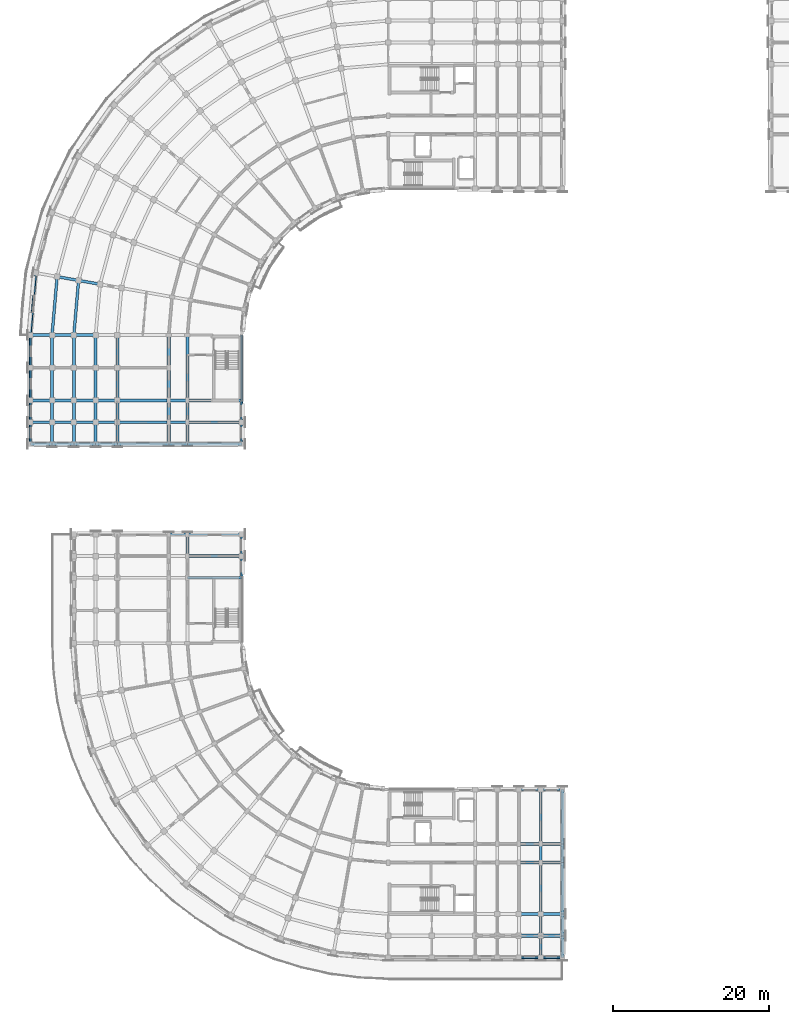
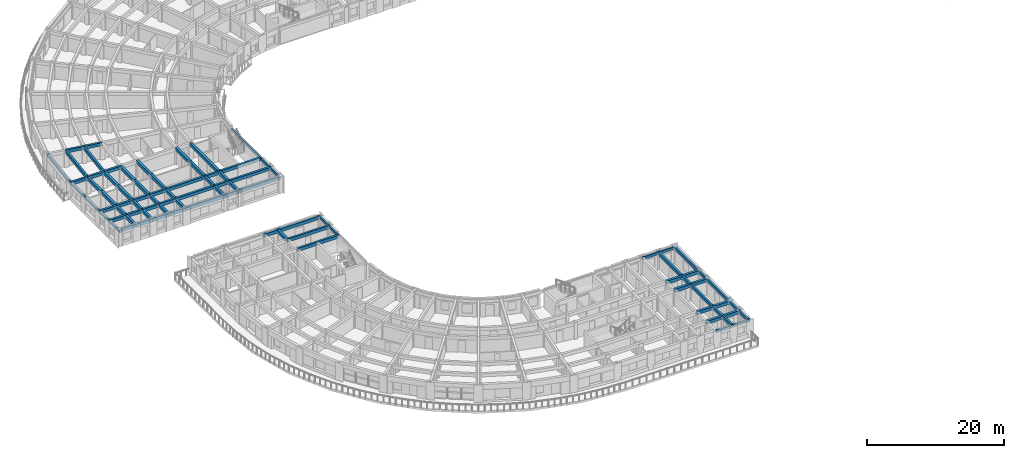
# One storey, part 7 of 57: 88 beams.
"""IFC4 building model written with IfcOpenShell, lengths in metres."""

from ifc_helpers import new_model, si_unit, direction, frame, origin, origin_2d, place, context, subcontext, project, spatial, rectangle, extrude, material, material_profile, profile_set, type_object, element, save


model = new_model("IFC4")

# Units and contexts
model_context = context("Model", 3, precision=1e-05, world=origin(), true_north=direction((0.0, 1.0)))
body_context = subcontext(model_context, "Body", "Model", "MODEL_VIEW")
ifc_project = project(units=[si_unit("LENGTHUNIT", "METRE"), si_unit("AREAUNIT", "SQUARE_METRE"), si_unit("VOLUMEUNIT", "CUBIC_METRE"), si_unit("PLANEANGLEUNIT", "RADIAN"), si_unit("MASSUNIT", "GRAM", prefix="KILO")], contexts=[model_context])

# Site, building, storey
site_placement = place(None, origin())
site = spatial("IfcSite", under=ifc_project, at=site_placement, CompositionType="ELEMENT")
building_placement = place(site_placement, origin())
building = spatial("IfcBuilding", under=site, at=building_placement, Name="Kiranvali Square Residences", CompositionType="ELEMENT")
storey_placement = place(building_placement, frame((0.0, 0.0, 24.449951171875)))
storey = spatial("IfcBuildingStorey", under=building, at=storey_placement, Name="L07", CompositionType="ELEMENT", Elevation=24.449951171875)

# Beams
ifc_material_1 = material(Name="Concrete M40 (40 MPa)", Category="concrete")
ifc_material_profile_1 = material_profile(ifc_material_1, rectangle(XDim=0.35009765625, YDim=0.550048828125, at=origin_2d()), Name="RC 350x550")
ifc_profile_set_1 = profile_set([ifc_material_profile_1], Name="Concrete M40 (40 MPa)")
beam_type_1 = type_object("IfcBeamType", Name="BM-M40-350x550", PredefinedType="BEAM", material=ifc_profile_set_1)
beam_1_placement = place(storey_placement, frame((8.413818359375, 94.8154296875, 2.655029296875), z_axis=(-0.087156198737, -0.996194658198, 0.0), x_axis=(0.996194658198, -0.087156198737, 0.0)))
element("IfcBeam", 1, at=beam_1_placement, inside=storey, type_object=beam_type_1, Name="L07 beam BM-A-L07-C08-R5", PredefinedType="BEAM", context=body_context, shape_type="SweptSolid", body=[
    extrude(rectangle(XDim=0.35009765625, YDim=0.550048828125, at=origin_2d()), origin(), (0.0, 0.0, 1.0), 7.042236328125),
])
beam_2_placement = place(storey_placement, frame((5.65625, 95.301513671875, 2.655029296875), z_axis=(-0.087150058103, -0.996195195417, 0.0), x_axis=(0.996195195417, -0.087150058103, 0.0)))
element("IfcBeam", 2, at=beam_2_placement, inside=storey, type_object=beam_type_1, Name="L07 beam BM-A-L07-C08-R6", PredefinedType="BEAM", context=body_context, shape_type="SweptSolid", body=[
    extrude(rectangle(XDim=0.35009765625, YDim=0.550048828125, at=origin_2d()), origin(), (0.0, 0.0, 1.0), 7.530029296875),
])
beam_3_placement = place(storey_placement, frame((11.171142578125, 94.3291015625, 2.655029296875), z_axis=(-0.984799355489, 0.173695795656, 0.0), x_axis=(-0.173695795656, -0.984799355489, 0.0)))
element("IfcBeam", 3, at=beam_3_placement, inside=storey, type_object=beam_type_1, Name="L07 beam BM-A-L07-RAD08-45", PredefinedType="BEAM", context=body_context, shape_type="SweptSolid", body=[
    extrude(rectangle(XDim=0.35009765625, YDim=0.550048828125, at=origin_2d()), origin(), (0.0, 0.0, 1.0), 2.7998046875),
])
for number, where, z_axis, x_axis, name in (
    (4, (8.413818359375, 94.8154296875, 2.655029296875), (-0.984816895441, 0.173596320392, 0.0), (-0.173596320392, -0.984816895441, 0.0), "L07 beam BM-A-L07-RAD08-56"),
    (5, (10.60009765625, 87.800048828125, 2.655029296875), (-1.0, 0.0, 0.0), (0.0, -1.0, 0.0), "L07 beam BM-A-L07-A2T0-45"),
    (6, (7.800048828125, 87.800048828125, 2.655029296875), (-1.0, 0.0, 0.0), (0.0, -1.0, 0.0), "L07 beam BM-A-L07-A2T0-56"),
    (7, (5.0, 87.800048828125, 2.655029296875), (-1.0, 0.0, 0.0), (0.0, -1.0, 0.0), "L07 beam BM-A-L07-A2T0-67"),
):
    element("IfcBeam", number, at=place(storey_placement, frame(where, z_axis=z_axis, x_axis=x_axis)), inside=storey, type_object=beam_type_1, Name=name, PredefinedType="BEAM", context=body_context, shape_type="SweptSolid", body=[
        extrude(rectangle(XDim=0.35009765625, YDim=0.550048828125, at=origin_2d()), origin(), (0.0, 0.0, 1.0), 2.800048828125),
    ])
beam_4_placement = place(storey_placement, frame((29.39990234375, 79.39990234375, 2.655029296875), z_axis=(-1.0, 0.0, 0.0), x_axis=(0.0, -1.0, 0.0)))
element("IfcBeam", 8, at=beam_4_placement, inside=storey, type_object=beam_type_1, Name="L07 beam BM-A-L07-A2T1-01", PredefinedType="BEAM", context=body_context, shape_type="SweptSolid", body=[
    extrude(rectangle(XDim=0.35009765625, YDim=0.550048828125, at=origin_2d()), origin(), (0.0, 0.0, 1.0), 7.0),
])
beam_5_placement = place(storey_placement, frame((22.39990234375, 79.39990234375, 2.655029296875), z_axis=(-1.0, 0.0, 0.0), x_axis=(0.0, -1.0, 0.0)))
element("IfcBeam", 9, at=beam_5_placement, inside=storey, type_object=beam_type_1, Name="L07 beam BM-A-L07-A2T1-12", PredefinedType="BEAM", context=body_context, shape_type="SweptSolid", body=[
    extrude(rectangle(XDim=0.35009765625, YDim=0.550048828125, at=origin_2d()), origin(), (0.0, 0.0, 1.0), 2.39990234375),
])
beam_6_placement = place(storey_placement, frame((20.0, 79.39990234375, 2.655029296875), z_axis=(-1.0, 0.0, 0.0), x_axis=(0.0, -1.0, 0.0)))
element("IfcBeam", 10, at=beam_6_placement, inside=storey, type_object=beam_type_1, Name="L07 beam BM-A-L07-A2T1-23", PredefinedType="BEAM", context=body_context, shape_type="SweptSolid", body=[
    extrude(rectangle(XDim=0.35009765625, YDim=0.550048828125, at=origin_2d()), origin(), (0.0, 0.0, 1.0), 6.60009765625),
])
beam_7_placement = place(storey_placement, frame((13.39990234375, 79.39990234375, 2.655029296875), z_axis=(-1.0, 0.0, 0.0), x_axis=(0.0, -1.0, 0.0)))
element("IfcBeam", 11, at=beam_7_placement, inside=storey, type_object=beam_type_1, Name="L07 beam BM-A-L07-A2T1-34", PredefinedType="BEAM", context=body_context, shape_type="SweptSolid", body=[
    extrude(rectangle(XDim=0.35009765625, YDim=0.550048828125, at=origin_2d()), origin(), (0.0, 0.0, 1.0), 2.7998046875),
])
for number, where, z_axis, x_axis, name in (
    (12, (10.60009765625, 79.39990234375, 2.655029296875), (-1.0, 0.0, 0.0), (0.0, -1.0, 0.0), "L07 beam BM-A-L07-A2T1-45"),
    (13, (7.800048828125, 79.39990234375, 2.655029296875), (-1.0, 0.0, 0.0), (0.0, -1.0, 0.0), "L07 beam BM-A-L07-A2T1-56"),
    (14, (5.0, 79.39990234375, 2.655029296875), (-1.0, 0.0, 0.0), (0.0, -1.0, 0.0), "L07 beam BM-A-L07-A2T1-67"),
):
    element("IfcBeam", number, at=place(storey_placement, frame(where, z_axis=z_axis, x_axis=x_axis)), inside=storey, type_object=beam_type_1, Name=name, PredefinedType="BEAM", context=body_context, shape_type="SweptSolid", body=[
        extrude(rectangle(XDim=0.35009765625, YDim=0.550048828125, at=origin_2d()), origin(), (0.0, 0.0, 1.0), 2.800048828125),
    ])
beam_8_placement = place(storey_placement, frame((29.39990234375, 76.60009765625, 2.655029296875), z_axis=(-1.0, 0.0, 0.0), x_axis=(0.0, -1.0, 0.0)))
element("IfcBeam", 15, at=beam_8_placement, inside=storey, type_object=beam_type_1, Name="L07 beam BM-A-L07-A2T2-01", PredefinedType="BEAM", context=body_context, shape_type="SweptSolid", body=[
    extrude(rectangle(XDim=0.35009765625, YDim=0.550048828125, at=origin_2d()), origin(), (0.0, 0.0, 1.0), 7.0),
])
beam_9_placement = place(storey_placement, frame((22.39990234375, 76.60009765625, 2.655029296875), z_axis=(-1.0, 0.0, 0.0), x_axis=(0.0, -1.0, 0.0)))
element("IfcBeam", 16, at=beam_9_placement, inside=storey, type_object=beam_type_1, Name="L07 beam BM-A-L07-A2T2-12", PredefinedType="BEAM", context=body_context, shape_type="SweptSolid", body=[
    extrude(rectangle(XDim=0.35009765625, YDim=0.550048828125, at=origin_2d()), origin(), (0.0, 0.0, 1.0), 2.39990234375),
])
beam_10_placement = place(storey_placement, frame((20.0, 76.60009765625, 2.655029296875), z_axis=(-1.0, 0.0, 0.0), x_axis=(0.0, -1.0, 0.0)))
element("IfcBeam", 17, at=beam_10_placement, inside=storey, type_object=beam_type_1, Name="L07 beam BM-A-L07-A2T2-23", PredefinedType="BEAM", context=body_context, shape_type="SweptSolid", body=[
    extrude(rectangle(XDim=0.35009765625, YDim=0.550048828125, at=origin_2d()), origin(), (0.0, 0.0, 1.0), 6.60009765625),
])
beam_11_placement = place(storey_placement, frame((13.39990234375, 76.60009765625, 2.655029296875), z_axis=(-1.0, 0.0, 0.0), x_axis=(0.0, -1.0, 0.0)))
element("IfcBeam", 18, at=beam_11_placement, inside=storey, type_object=beam_type_1, Name="L07 beam BM-A-L07-A2T2-34", PredefinedType="BEAM", context=body_context, shape_type="SweptSolid", body=[
    extrude(rectangle(XDim=0.35009765625, YDim=0.550048828125, at=origin_2d()), origin(), (0.0, 0.0, 1.0), 2.7998046875),
])
for number, where, z_axis, x_axis, name in (
    (19, (10.60009765625, 76.60009765625, 2.655029296875), (-1.0, 0.0, 0.0), (0.0, -1.0, 0.0), "L07 beam BM-A-L07-A2T2-45"),
    (20, (7.800048828125, 76.60009765625, 2.655029296875), (-1.0, 0.0, 0.0), (0.0, -1.0, 0.0), "L07 beam BM-A-L07-A2T2-56"),
    (21, (5.0, 76.60009765625, 2.655029296875), (-1.0, 0.0, 0.0), (0.0, -1.0, 0.0), "L07 beam BM-A-L07-A2T2-67"),
):
    element("IfcBeam", number, at=place(storey_placement, frame(where, z_axis=z_axis, x_axis=x_axis)), inside=storey, type_object=beam_type_1, Name=name, PredefinedType="BEAM", context=body_context, shape_type="SweptSolid", body=[
        extrude(rectangle(XDim=0.35009765625, YDim=0.550048828125, at=origin_2d()), origin(), (0.0, 0.0, 1.0), 2.800048828125),
    ])
beam_12_placement = place(storey_placement, frame((29.39990234375, 73.800048828125, 2.655029296875), z_axis=(-1.0, 0.0, 0.0), x_axis=(0.0, -1.0, 0.0)))
element("IfcBeam", 22, at=beam_12_placement, inside=storey, type_object=beam_type_1, Name="L07 beam BM-A-L07-A2T3-01", PredefinedType="BEAM", context=body_context, shape_type="SweptSolid", body=[
    extrude(rectangle(XDim=0.35009765625, YDim=0.550048828125, at=origin_2d()), origin(), (0.0, 0.0, 1.0), 7.0),
])
beam_13_placement = place(storey_placement, frame((22.39990234375, 73.800048828125, 2.655029296875), z_axis=(-1.0, 0.0, 0.0), x_axis=(0.0, -1.0, 0.0)))
element("IfcBeam", 23, at=beam_13_placement, inside=storey, type_object=beam_type_1, Name="L07 beam BM-A-L07-A2T3-12", PredefinedType="BEAM", context=body_context, shape_type="SweptSolid", body=[
    extrude(rectangle(XDim=0.35009765625, YDim=0.550048828125, at=origin_2d()), origin(), (0.0, 0.0, 1.0), 2.39990234375),
])
beam_14_placement = place(storey_placement, frame((20.0, 73.800048828125, 2.655029296875), z_axis=(-1.0, 0.0, 0.0), x_axis=(0.0, -1.0, 0.0)))
element("IfcBeam", 24, at=beam_14_placement, inside=storey, type_object=beam_type_1, Name="L07 beam BM-A-L07-A2T3-23", PredefinedType="BEAM", context=body_context, shape_type="SweptSolid", body=[
    extrude(rectangle(XDim=0.35009765625, YDim=0.550048828125, at=origin_2d()), origin(), (0.0, 0.0, 1.0), 6.60009765625),
])
beam_15_placement = place(storey_placement, frame((13.39990234375, 73.800048828125, 2.655029296875), z_axis=(-1.0, 0.0, 0.0), x_axis=(0.0, -1.0, 0.0)))
element("IfcBeam", 25, at=beam_15_placement, inside=storey, type_object=beam_type_1, Name="L07 beam BM-A-L07-A2T3-34", PredefinedType="BEAM", context=body_context, shape_type="SweptSolid", body=[
    extrude(rectangle(XDim=0.35009765625, YDim=0.550048828125, at=origin_2d()), origin(), (0.0, 0.0, 1.0), 2.7998046875),
])
for number, where, z_axis, x_axis, name in (
    (26, (10.60009765625, 73.800048828125, 2.655029296875), (-1.0, 0.0, 0.0), (0.0, -1.0, 0.0), "L07 beam BM-A-L07-A2T3-45"),
    (27, (7.800048828125, 73.800048828125, 2.655029296875), (-1.0, 0.0, 0.0), (0.0, -1.0, 0.0), "L07 beam BM-A-L07-A2T3-56"),
    (28, (5.0, 73.800048828125, 2.655029296875), (-1.0, 0.0, 0.0), (0.0, -1.0, 0.0), "L07 beam BM-A-L07-A2T3-67"),
):
    element("IfcBeam", number, at=place(storey_placement, frame(where, z_axis=z_axis, x_axis=x_axis)), inside=storey, type_object=beam_type_1, Name=name, PredefinedType="BEAM", context=body_context, shape_type="SweptSolid", body=[
        extrude(rectangle(XDim=0.35009765625, YDim=0.550048828125, at=origin_2d()), origin(), (0.0, 0.0, 1.0), 2.800048828125),
    ])
beam_16_placement = place(storey_placement, frame((67.800048828125, 29.39990234375, 2.655029296875), z_axis=(0.0, -1.0, 0.0), x_axis=(1.0, 0.0, 0.0)))
element("IfcBeam", 29, at=beam_16_placement, inside=storey, type_object=beam_type_1, Name="L07 beam BM-C-L07-A1T4-01", PredefinedType="BEAM", context=body_context, shape_type="SweptSolid", body=[
    extrude(rectangle(XDim=0.35009765625, YDim=0.550048828125, at=origin_2d()), origin(), (0.0, 0.0, 1.0), 7.0),
])
beam_17_placement = place(storey_placement, frame((67.800048828125, 22.39990234375, 2.655029296875), z_axis=(0.0, -1.0, 0.0), x_axis=(1.0, 0.0, 0.0)))
element("IfcBeam", 30, at=beam_17_placement, inside=storey, type_object=beam_type_1, Name="L07 beam BM-C-L07-A1T4-12", PredefinedType="BEAM", context=body_context, shape_type="SweptSolid", body=[
    extrude(rectangle(XDim=0.35009765625, YDim=0.550048828125, at=origin_2d()), origin(), (0.0, 0.0, 1.0), 2.39990234375),
])
beam_18_placement = place(storey_placement, frame((67.800048828125, 20.0, 2.655029296875), z_axis=(0.0, -1.0, 0.0), x_axis=(1.0, 0.0, 0.0)))
element("IfcBeam", 31, at=beam_18_placement, inside=storey, type_object=beam_type_1, Name="L07 beam BM-C-L07-A1T4-23", PredefinedType="BEAM", context=body_context, shape_type="SweptSolid", body=[
    extrude(rectangle(XDim=0.35009765625, YDim=0.550048828125, at=origin_2d()), origin(), (0.0, 0.0, 1.0), 6.60009765625),
])
beam_19_placement = place(storey_placement, frame((67.800048828125, 13.39990234375, 2.655029296875), z_axis=(0.0, -1.0, 0.0), x_axis=(1.0, 0.0, 0.0)))
element("IfcBeam", 32, at=beam_19_placement, inside=storey, type_object=beam_type_1, Name="L07 beam BM-C-L07-A1T4-34", PredefinedType="BEAM", context=body_context, shape_type="SweptSolid", body=[
    extrude(rectangle(XDim=0.35009765625, YDim=0.550048828125, at=origin_2d()), origin(), (0.0, 0.0, 1.0), 2.7998046875),
])
beam_20_placement = place(storey_placement, frame((67.800048828125, 10.60009765625, 2.695068359375), z_axis=(0.0, -1.0, 0.0), x_axis=(1.0, 0.0, 0.0)))
element("IfcBeam", 33, at=beam_20_placement, inside=storey, type_object=beam_type_1, Name="L07 beam BM-C-L07-A1T4-45", PredefinedType="BEAM", context=body_context, shape_type="SweptSolid", body=[
    extrude(rectangle(XDim=0.35009765625, YDim=0.550048828125, at=origin_2d()), origin(), (0.0, 0.0, 1.0), 2.800048828125),
])
beam_21_placement = place(storey_placement, frame((70.60009765625, 29.39990234375, 2.655029296875), z_axis=(0.0, -1.0, 0.0), x_axis=(1.0, 0.0, 0.0)))
element("IfcBeam", 34, at=beam_21_placement, inside=storey, type_object=beam_type_1, Name="L07 beam BM-C-L07-A1T5-01", PredefinedType="BEAM", context=body_context, shape_type="SweptSolid", body=[
    extrude(rectangle(XDim=0.35009765625, YDim=0.550048828125, at=origin_2d()), origin(), (0.0, 0.0, 1.0), 7.0),
])
beam_22_placement = place(storey_placement, frame((70.60009765625, 22.39990234375, 2.655029296875), z_axis=(0.0, -1.0, 0.0), x_axis=(1.0, 0.0, 0.0)))
element("IfcBeam", 35, at=beam_22_placement, inside=storey, type_object=beam_type_1, Name="L07 beam BM-C-L07-A1T5-12", PredefinedType="BEAM", context=body_context, shape_type="SweptSolid", body=[
    extrude(rectangle(XDim=0.35009765625, YDim=0.550048828125, at=origin_2d()), origin(), (0.0, 0.0, 1.0), 2.39990234375),
])
beam_23_placement = place(storey_placement, frame((70.60009765625, 20.0, 2.655029296875), z_axis=(0.0, -1.0, 0.0), x_axis=(1.0, 0.0, 0.0)))
element("IfcBeam", 36, at=beam_23_placement, inside=storey, type_object=beam_type_1, Name="L07 beam BM-C-L07-A1T5-23", PredefinedType="BEAM", context=body_context, shape_type="SweptSolid", body=[
    extrude(rectangle(XDim=0.35009765625, YDim=0.550048828125, at=origin_2d()), origin(), (0.0, 0.0, 1.0), 6.60009765625),
])
beam_24_placement = place(storey_placement, frame((70.60009765625, 13.39990234375, 2.655029296875), z_axis=(0.0, -1.0, 0.0), x_axis=(1.0, 0.0, 0.0)))
element("IfcBeam", 37, at=beam_24_placement, inside=storey, type_object=beam_type_1, Name="L07 beam BM-C-L07-A1T5-34", PredefinedType="BEAM", context=body_context, shape_type="SweptSolid", body=[
    extrude(rectangle(XDim=0.35009765625, YDim=0.550048828125, at=origin_2d()), origin(), (0.0, 0.0, 1.0), 2.7998046875),
])
beam_25_placement = place(storey_placement, frame((70.60009765625, 10.60009765625, 2.695068359375), z_axis=(0.0, -1.0, 0.0), x_axis=(1.0, 0.0, 0.0)))
element("IfcBeam", 38, at=beam_25_placement, inside=storey, type_object=beam_type_1, Name="L07 beam BM-C-L07-A1T5-45", PredefinedType="BEAM", context=body_context, shape_type="SweptSolid", body=[
    extrude(rectangle(XDim=0.35009765625, YDim=0.550048828125, at=origin_2d()), origin(), (0.0, 0.0, 1.0), 2.800048828125),
])
for number, where, z_axis, x_axis, name in (
    (39, (29.39990234375, 56.60009765625, 2.655029296875), (-1.0, 0.0, 0.0), (0.0, -1.0, 0.0), "L07 beam BM-C-L07-A2T1-01"),
    (40, (29.39990234375, 59.39990234375, 2.655029296875), (-1.0, 0.0, 0.0), (0.0, -1.0, 0.0), "L07 beam BM-C-L07-A2T2-01"),
    (41, (29.39990234375, 62.199951171875, 2.655029296875), (-1.0, 0.0, 0.0), (0.0, -1.0, 0.0), "L07 beam BM-C-L07-A2T3-01"),
):
    element("IfcBeam", number, at=place(storey_placement, frame(where, z_axis=z_axis, x_axis=x_axis)), inside=storey, type_object=beam_type_1, Name=name, PredefinedType="BEAM", context=body_context, shape_type="SweptSolid", body=[
        extrude(rectangle(XDim=0.35009765625, YDim=0.550048828125, at=origin_2d()), origin(), (0.0, 0.0, 1.0), 7.0),
    ])
beam_26_placement = place(storey_placement, frame((22.39990234375, 62.199951171875, 2.655029296875), z_axis=(-1.0, 0.0, 0.0), x_axis=(0.0, -1.0, 0.0)))
element("IfcBeam", 42, at=beam_26_placement, inside=storey, type_object=beam_type_1, Name="L07 beam BM-C-L07-A2T3-12", PredefinedType="BEAM", context=body_context, shape_type="SweptSolid", body=[
    extrude(rectangle(XDim=0.35009765625, YDim=0.550048828125, at=origin_2d()), origin(), (0.0, 0.0, 1.0), 2.39990234375),
])
ifc_material_2 = material(Name="Concrete M45 (45 MPa)", Category="concrete")
ifc_material_profile_2 = material_profile(ifc_material_2, rectangle(XDim=0.39990234375, YDim=0.550048828125, at=origin_2d()), Name="RC 400x550")
ifc_profile_set_2 = profile_set([ifc_material_profile_2], Name="Concrete M45 (45 MPa)")
beam_type_2 = type_object("IfcBeamType", Name="BM-M45-400x550", PredefinedType="BEAM", material=ifc_profile_set_2)
beam_27_placement = place(storey_placement, frame((22.39990234375, 87.800048828125, 2.655029296875), z_axis=(0.0, -1.0, 0.0), x_axis=(1.0, 0.0, 0.0)))
element("IfcBeam", 43, at=beam_27_placement, inside=storey, type_object=beam_type_2, Name="L07 beam BM-A-L07-A2V0-R1", PredefinedType="BEAM", context=body_context, shape_type="SweptSolid", body=[
    extrude(rectangle(XDim=0.39990234375, YDim=0.550048828125, at=origin_2d()), origin(), (0.0, 0.0, 1.0), 8.400146484375),
])
beam_28_placement = place(storey_placement, frame((22.39990234375, 79.39990234375, 2.655029296875), z_axis=(0.0, -1.0, 0.0), x_axis=(1.0, 0.0, 0.0)))
element("IfcBeam", 44, at=beam_28_placement, inside=storey, type_object=beam_type_2, Name="L07 beam BM-A-L07-A2V1-R1", PredefinedType="BEAM", context=body_context, shape_type="SweptSolid", body=[
    extrude(rectangle(XDim=0.39990234375, YDim=0.550048828125, at=origin_2d()), origin(), (0.0, 0.0, 1.0), 2.7998046875),
])
beam_29_placement = place(storey_placement, frame((22.39990234375, 76.60009765625, 2.655029296875), z_axis=(0.0, -1.0, 0.0), x_axis=(1.0, 0.0, 0.0)))
element("IfcBeam", 45, at=beam_29_placement, inside=storey, type_object=beam_type_2, Name="L07 beam BM-A-L07-A2V2-R1", PredefinedType="BEAM", context=body_context, shape_type="SweptSolid", body=[
    extrude(rectangle(XDim=0.39990234375, YDim=0.550048828125, at=origin_2d()), origin(), (0.0, 0.0, 1.0), 2.800048828125),
])
beam_30_placement = place(storey_placement, frame((20.0, 87.800048828125, 2.655029296875), z_axis=(0.0, -1.0, 0.0), x_axis=(1.0, 0.0, 0.0)))
element("IfcBeam", 46, at=beam_30_placement, inside=storey, type_object=beam_type_2, Name="L07 beam BM-A-L07-A2V0-R2", PredefinedType="BEAM", context=body_context, shape_type="SweptSolid", body=[
    extrude(rectangle(XDim=0.39990234375, YDim=0.550048828125, at=origin_2d()), origin(), (0.0, 0.0, 1.0), 4.199951171875),
])
beam_31_placement = place(storey_placement, frame((20.0, 83.60009765625, 2.655029296875), z_axis=(0.0, -1.0, 0.0), x_axis=(1.0, 0.0, 0.0)))
element("IfcBeam", 47, at=beam_31_placement, inside=storey, type_object=beam_type_2, Name="L07 beam BM-A-L07-A2V1-R2", PredefinedType="BEAM", context=body_context, shape_type="SweptSolid", body=[
    extrude(rectangle(XDim=0.39990234375, YDim=0.550048828125, at=origin_2d()), origin(), (0.0, 0.0, 1.0), 4.2001953125),
])
beam_32_placement = place(storey_placement, frame((20.0, 79.39990234375, 2.655029296875), z_axis=(0.0, -1.0, 0.0), x_axis=(1.0, 0.0, 0.0)))
element("IfcBeam", 48, at=beam_32_placement, inside=storey, type_object=beam_type_2, Name="L07 beam BM-A-L07-A2V2-R2", PredefinedType="BEAM", context=body_context, shape_type="SweptSolid", body=[
    extrude(rectangle(XDim=0.39990234375, YDim=0.550048828125, at=origin_2d()), origin(), (0.0, 0.0, 1.0), 2.7998046875),
])
beam_33_placement = place(storey_placement, frame((20.0, 76.60009765625, 2.655029296875), z_axis=(0.0, -1.0, 0.0), x_axis=(1.0, 0.0, 0.0)))
element("IfcBeam", 49, at=beam_33_placement, inside=storey, type_object=beam_type_2, Name="L07 beam BM-A-L07-A2V3-R2", PredefinedType="BEAM", context=body_context, shape_type="SweptSolid", body=[
    extrude(rectangle(XDim=0.39990234375, YDim=0.550048828125, at=origin_2d()), origin(), (0.0, 0.0, 1.0), 2.800048828125),
])
beam_34_placement = place(storey_placement, frame((13.39990234375, 87.800048828125, 2.655029296875), z_axis=(0.0, -1.0, 0.0), x_axis=(1.0, 0.0, 0.0)))
element("IfcBeam", 50, at=beam_34_placement, inside=storey, type_object=beam_type_2, Name="L07 beam BM-A-L07-A2V0-R3", PredefinedType="BEAM", context=body_context, shape_type="SweptSolid", body=[
    extrude(rectangle(XDim=0.39990234375, YDim=0.550048828125, at=origin_2d()), origin(), (0.0, 0.0, 1.0), 4.199951171875),
])
beam_35_placement = place(storey_placement, frame((13.39990234375, 83.60009765625, 2.655029296875), z_axis=(0.0, -1.0, 0.0), x_axis=(1.0, 0.0, 0.0)))
element("IfcBeam", 51, at=beam_35_placement, inside=storey, type_object=beam_type_2, Name="L07 beam BM-A-L07-A2V1-R3", PredefinedType="BEAM", context=body_context, shape_type="SweptSolid", body=[
    extrude(rectangle(XDim=0.39990234375, YDim=0.550048828125, at=origin_2d()), origin(), (0.0, 0.0, 1.0), 4.2001953125),
])
beam_36_placement = place(storey_placement, frame((13.39990234375, 79.39990234375, 2.655029296875), z_axis=(0.0, -1.0, 0.0), x_axis=(1.0, 0.0, 0.0)))
element("IfcBeam", 52, at=beam_36_placement, inside=storey, type_object=beam_type_2, Name="L07 beam BM-A-L07-A2V2-R3", PredefinedType="BEAM", context=body_context, shape_type="SweptSolid", body=[
    extrude(rectangle(XDim=0.39990234375, YDim=0.550048828125, at=origin_2d()), origin(), (0.0, 0.0, 1.0), 2.7998046875),
])
beam_37_placement = place(storey_placement, frame((13.39990234375, 76.60009765625, 2.655029296875), z_axis=(0.0, -1.0, 0.0), x_axis=(1.0, 0.0, 0.0)))
element("IfcBeam", 53, at=beam_37_placement, inside=storey, type_object=beam_type_2, Name="L07 beam BM-A-L07-A2V3-R3", PredefinedType="BEAM", context=body_context, shape_type="SweptSolid", body=[
    extrude(rectangle(XDim=0.39990234375, YDim=0.550048828125, at=origin_2d()), origin(), (0.0, 0.0, 1.0), 2.800048828125),
])
beam_38_placement = place(storey_placement, frame((10.60009765625, 87.800048828125, 2.655029296875), z_axis=(0.0, -1.0, 0.0), x_axis=(1.0, 0.0, 0.0)))
element("IfcBeam", 54, at=beam_38_placement, inside=storey, type_object=beam_type_2, Name="L07 beam BM-A-L07-A2V0-R4", PredefinedType="BEAM", context=body_context, shape_type="SweptSolid", body=[
    extrude(rectangle(XDim=0.39990234375, YDim=0.550048828125, at=origin_2d()), origin(), (0.0, 0.0, 1.0), 4.199951171875),
])
beam_39_placement = place(storey_placement, frame((10.60009765625, 83.60009765625, 2.655029296875), z_axis=(0.0, -1.0, 0.0), x_axis=(1.0, 0.0, 0.0)))
element("IfcBeam", 55, at=beam_39_placement, inside=storey, type_object=beam_type_2, Name="L07 beam BM-A-L07-A2V1-R4", PredefinedType="BEAM", context=body_context, shape_type="SweptSolid", body=[
    extrude(rectangle(XDim=0.39990234375, YDim=0.550048828125, at=origin_2d()), origin(), (0.0, 0.0, 1.0), 4.2001953125),
])
beam_40_placement = place(storey_placement, frame((10.60009765625, 79.39990234375, 2.655029296875), z_axis=(0.0, -1.0, 0.0), x_axis=(1.0, 0.0, 0.0)))
element("IfcBeam", 56, at=beam_40_placement, inside=storey, type_object=beam_type_2, Name="L07 beam BM-A-L07-A2V2-R4", PredefinedType="BEAM", context=body_context, shape_type="SweptSolid", body=[
    extrude(rectangle(XDim=0.39990234375, YDim=0.550048828125, at=origin_2d()), origin(), (0.0, 0.0, 1.0), 2.7998046875),
])
beam_41_placement = place(storey_placement, frame((10.60009765625, 76.60009765625, 2.655029296875), z_axis=(0.0, -1.0, 0.0), x_axis=(1.0, 0.0, 0.0)))
element("IfcBeam", 57, at=beam_41_placement, inside=storey, type_object=beam_type_2, Name="L07 beam BM-A-L07-A2V3-R4", PredefinedType="BEAM", context=body_context, shape_type="SweptSolid", body=[
    extrude(rectangle(XDim=0.39990234375, YDim=0.550048828125, at=origin_2d()), origin(), (0.0, 0.0, 1.0), 2.800048828125),
])
beam_42_placement = place(storey_placement, frame((7.800048828125, 87.800048828125, 2.655029296875), z_axis=(0.0, -1.0, 0.0), x_axis=(1.0, 0.0, 0.0)))
element("IfcBeam", 58, at=beam_42_placement, inside=storey, type_object=beam_type_2, Name="L07 beam BM-A-L07-A2V0-R5", PredefinedType="BEAM", context=body_context, shape_type="SweptSolid", body=[
    extrude(rectangle(XDim=0.39990234375, YDim=0.550048828125, at=origin_2d()), origin(), (0.0, 0.0, 1.0), 4.199951171875),
])
beam_43_placement = place(storey_placement, frame((7.800048828125, 83.60009765625, 2.655029296875), z_axis=(0.0, -1.0, 0.0), x_axis=(1.0, 0.0, 0.0)))
element("IfcBeam", 59, at=beam_43_placement, inside=storey, type_object=beam_type_2, Name="L07 beam BM-A-L07-A2V1-R5", PredefinedType="BEAM", context=body_context, shape_type="SweptSolid", body=[
    extrude(rectangle(XDim=0.39990234375, YDim=0.550048828125, at=origin_2d()), origin(), (0.0, 0.0, 1.0), 4.2001953125),
])
beam_44_placement = place(storey_placement, frame((7.800048828125, 79.39990234375, 2.655029296875), z_axis=(0.0, -1.0, 0.0), x_axis=(1.0, 0.0, 0.0)))
element("IfcBeam", 60, at=beam_44_placement, inside=storey, type_object=beam_type_2, Name="L07 beam BM-A-L07-A2V2-R5", PredefinedType="BEAM", context=body_context, shape_type="SweptSolid", body=[
    extrude(rectangle(XDim=0.39990234375, YDim=0.550048828125, at=origin_2d()), origin(), (0.0, 0.0, 1.0), 2.7998046875),
])
beam_45_placement = place(storey_placement, frame((7.800048828125, 76.60009765625, 2.655029296875), z_axis=(0.0, -1.0, 0.0), x_axis=(1.0, 0.0, 0.0)))
element("IfcBeam", 61, at=beam_45_placement, inside=storey, type_object=beam_type_2, Name="L07 beam BM-A-L07-A2V3-R5", PredefinedType="BEAM", context=body_context, shape_type="SweptSolid", body=[
    extrude(rectangle(XDim=0.39990234375, YDim=0.550048828125, at=origin_2d()), origin(), (0.0, 0.0, 1.0), 2.800048828125),
])
beam_46_placement = place(storey_placement, frame((5.0, 87.800048828125, 2.655029296875), z_axis=(0.0, -1.0, 0.0), x_axis=(1.0, 0.0, 0.0)))
element("IfcBeam", 62, at=beam_46_placement, inside=storey, type_object=beam_type_2, Name="L07 beam BM-A-L07-A2V0-R6", PredefinedType="BEAM", context=body_context, shape_type="SweptSolid", body=[
    extrude(rectangle(XDim=0.39990234375, YDim=0.550048828125, at=origin_2d()), origin(), (0.0, 0.0, 1.0), 4.199951171875),
])
beam_47_placement = place(storey_placement, frame((5.0, 83.60009765625, 2.655029296875), z_axis=(0.0, -1.0, 0.0), x_axis=(1.0, 0.0, 0.0)))
element("IfcBeam", 63, at=beam_47_placement, inside=storey, type_object=beam_type_2, Name="L07 beam BM-A-L07-A2V1-R6", PredefinedType="BEAM", context=body_context, shape_type="SweptSolid", body=[
    extrude(rectangle(XDim=0.39990234375, YDim=0.550048828125, at=origin_2d()), origin(), (0.0, 0.0, 1.0), 4.2001953125),
])
beam_48_placement = place(storey_placement, frame((5.0, 79.39990234375, 2.655029296875), z_axis=(0.0, -1.0, 0.0), x_axis=(1.0, 0.0, 0.0)))
element("IfcBeam", 64, at=beam_48_placement, inside=storey, type_object=beam_type_2, Name="L07 beam BM-A-L07-A2V2-R6", PredefinedType="BEAM", context=body_context, shape_type="SweptSolid", body=[
    extrude(rectangle(XDim=0.39990234375, YDim=0.550048828125, at=origin_2d()), origin(), (0.0, 0.0, 1.0), 2.7998046875),
])
for number, where, z_axis, x_axis, name in (
    (65, (5.0, 76.60009765625, 2.655029296875), (0.0, -1.0, 0.0), (1.0, 0.0, 0.0), "L07 beam BM-A-L07-A2V3-R6"),
    (66, (65.0, 22.39990234375, 2.655029296875), (1.0, 0.0, 0.0), (0.0, 1.0, 0.0), "L07 beam BM-C-L07-A1U3-R1"),
    (67, (67.800048828125, 22.39990234375, 2.655029296875), (1.0, 0.0, 0.0), (0.0, 1.0, 0.0), "L07 beam BM-C-L07-A1U4-R1"),
    (68, (65.0, 20.0, 2.655029296875), (1.0, 0.0, 0.0), (0.0, 1.0, 0.0), "L07 beam BM-C-L07-A1U3-R2"),
    (69, (67.800048828125, 20.0, 2.655029296875), (1.0, 0.0, 0.0), (0.0, 1.0, 0.0), "L07 beam BM-C-L07-A1U4-R2"),
    (70, (65.0, 13.39990234375, 2.655029296875), (1.0, 0.0, 0.0), (0.0, 1.0, 0.0), "L07 beam BM-C-L07-A1U3-R3"),
    (71, (67.800048828125, 13.39990234375, 2.655029296875), (1.0, 0.0, 0.0), (0.0, 1.0, 0.0), "L07 beam BM-C-L07-A1U4-R3"),
    (72, (65.0, 10.60009765625, 2.655029296875), (1.0, 0.0, 0.0), (0.0, 1.0, 0.0), "L07 beam BM-C-L07-A1U4-R4"),
    (73, (67.800048828125, 10.60009765625, 2.655029296875), (1.0, 0.0, 0.0), (0.0, 1.0, 0.0), "L07 beam BM-C-L07-A1U5-R4"),
    (74, (22.39990234375, 59.39990234375, 2.655029296875), (0.0, 1.0, 0.0), (-1.0, 0.0, 0.0), "L07 beam BM-C-L07-A2V2-R1"),
):
    element("IfcBeam", number, at=place(storey_placement, frame(where, z_axis=z_axis, x_axis=x_axis)), inside=storey, type_object=beam_type_2, Name=name, PredefinedType="BEAM", context=body_context, shape_type="SweptSolid", body=[
        extrude(rectangle(XDim=0.39990234375, YDim=0.550048828125, at=origin_2d()), origin(), (0.0, 0.0, 1.0), 2.800048828125),
    ])
ifc_material_profile_3 = material_profile(ifc_material_1, rectangle(XDim=0.25, YDim=0.449951171875, at=origin_2d()), Name="RC 250x450")
ifc_profile_set_3 = profile_set([ifc_material_profile_3], Name="Concrete M40 (40 MPa)")
beam_type_3 = type_object("IfcBeamType", Name="SPN-M40-250x450", PredefinedType="SPANDREL", material=ifc_profile_set_3)
beam_49_placement = place(storey_placement, frame((29.39990234375, 87.800048828125, 2.705078125), z_axis=(0.0, -1.0, 0.0), x_axis=(1.0, 0.0, 0.0)))
element("IfcBeam", 75, at=beam_49_placement, inside=storey, type_object=beam_type_3, Name="L07 beam BM-A-L07-A2V0-R0", PredefinedType="SPANDREL", context=body_context, shape_type="SweptSolid", body=[
    extrude(rectangle(XDim=0.25, YDim=0.449951171875, at=origin_2d()), origin(), (0.0, 0.0, 1.0), 8.400146484375),
])
beam_50_placement = place(storey_placement, frame((29.39990234375, 79.39990234375, 2.705078125), z_axis=(0.0, -1.0, 0.0), x_axis=(1.0, 0.0, 0.0)))
element("IfcBeam", 76, at=beam_50_placement, inside=storey, type_object=beam_type_3, Name="L07 beam BM-A-L07-A2V1-R0", PredefinedType="SPANDREL", context=body_context, shape_type="SweptSolid", body=[
    extrude(rectangle(XDim=0.25, YDim=0.449951171875, at=origin_2d()), origin(), (0.0, 0.0, 1.0), 2.7998046875),
])
beam_51_placement = place(storey_placement, frame((29.39990234375, 76.60009765625, 2.705078125), z_axis=(0.0, -1.0, 0.0), x_axis=(1.0, 0.0, 0.0)))
element("IfcBeam", 77, at=beam_51_placement, inside=storey, type_object=beam_type_3, Name="L07 beam BM-A-L07-A2V2-R0", PredefinedType="SPANDREL", context=body_context, shape_type="SweptSolid", body=[
    extrude(rectangle(XDim=0.25, YDim=0.449951171875, at=origin_2d()), origin(), (0.0, 0.0, 1.0), 2.800048828125),
])
beam_52_placement = place(storey_placement, frame((2.199951171875, 87.800048828125, 2.705078125), z_axis=(0.0, -1.0, 0.0), x_axis=(1.0, 0.0, 0.0)))
element("IfcBeam", 78, at=beam_52_placement, inside=storey, type_object=beam_type_3, Name="L07 beam BM-A-L07-A2V0-R7", PredefinedType="SPANDREL", context=body_context, shape_type="SweptSolid", body=[
    extrude(rectangle(XDim=0.25, YDim=0.449951171875, at=origin_2d()), origin(), (0.0, 0.0, 1.0), 4.199951171875),
])
beam_53_placement = place(storey_placement, frame((2.199951171875, 83.60009765625, 2.705078125), z_axis=(0.0, -1.0, 0.0), x_axis=(1.0, 0.0, 0.0)))
element("IfcBeam", 79, at=beam_53_placement, inside=storey, type_object=beam_type_3, Name="L07 beam BM-A-L07-A2V1-R7", PredefinedType="SPANDREL", context=body_context, shape_type="SweptSolid", body=[
    extrude(rectangle(XDim=0.25, YDim=0.449951171875, at=origin_2d()), origin(), (0.0, 0.0, 1.0), 4.2001953125),
])
beam_54_placement = place(storey_placement, frame((2.199951171875, 79.39990234375, 2.705078125), z_axis=(0.0, -1.0, 0.0), x_axis=(1.0, 0.0, 0.0)))
element("IfcBeam", 80, at=beam_54_placement, inside=storey, type_object=beam_type_3, Name="L07 beam BM-A-L07-A2V2-R7", PredefinedType="SPANDREL", context=body_context, shape_type="SweptSolid", body=[
    extrude(rectangle(XDim=0.25, YDim=0.449951171875, at=origin_2d()), origin(), (0.0, 0.0, 1.0), 2.7998046875),
])
for number, where, z_axis, x_axis, name in (
    (81, (2.199951171875, 76.60009765625, 2.705078125), (0.0, -1.0, 0.0), (1.0, 0.0, 0.0), "L07 beam BM-A-L07-A2V3-R7"),
    (82, (65.0, 29.39990234375, 2.705078125), (1.0, 0.0, 0.0), (0.0, 1.0, 0.0), "L07 beam BM-C-L07-A1U3-R0"),
    (83, (67.800048828125, 29.39990234375, 2.705078125), (1.0, 0.0, 0.0), (0.0, 1.0, 0.0), "L07 beam BM-C-L07-A1U4-R0"),
    (84, (65.0, 7.800048828125, 2.7451171875), (1.0, 0.0, 0.0), (0.0, 1.0, 0.0), "L07 beam BM-C-L07-A1U4-R5"),
    (85, (67.800048828125, 7.800048828125, 2.7451171875), (1.0, 0.0, 0.0), (0.0, 1.0, 0.0), "L07 beam BM-C-L07-A1U5-R5"),
):
    element("IfcBeam", number, at=place(storey_placement, frame(where, z_axis=z_axis, x_axis=x_axis)), inside=storey, type_object=beam_type_3, Name=name, PredefinedType="SPANDREL", context=body_context, shape_type="SweptSolid", body=[
        extrude(rectangle(XDim=0.25, YDim=0.449951171875, at=origin_2d()), origin(), (0.0, 0.0, 1.0), 2.800048828125),
    ])
beam_55_placement = place(storey_placement, frame((29.39990234375, 56.60009765625, 2.705078125), z_axis=(0.0, 1.0, 0.0), x_axis=(-1.0, 0.0, 0.0)))
element("IfcBeam", 86, at=beam_55_placement, inside=storey, type_object=beam_type_3, Name="L07 beam BM-C-L07-A2V1-R0", PredefinedType="SPANDREL", context=body_context, shape_type="SweptSolid", body=[
    extrude(rectangle(XDim=0.25, YDim=0.449951171875, at=origin_2d()), origin(), (0.0, 0.0, 1.0), 2.7998046875),
])
beam_56_placement = place(storey_placement, frame((29.39990234375, 59.39990234375, 2.705078125), z_axis=(0.0, 1.0, 0.0), x_axis=(-1.0, 0.0, 0.0)))
element("IfcBeam", 87, at=beam_56_placement, inside=storey, type_object=beam_type_3, Name="L07 beam BM-C-L07-A2V2-R0", PredefinedType="SPANDREL", context=body_context, shape_type="SweptSolid", body=[
    extrude(rectangle(XDim=0.25, YDim=0.449951171875, at=origin_2d()), origin(), (0.0, 0.0, 1.0), 2.800048828125),
])
ifc_material_profile_4 = material_profile(ifc_material_1, rectangle(XDim=0.25, YDim=0.550048828125, at=origin_2d()), Name="RC 250x550")
ifc_profile_set_4 = profile_set([ifc_material_profile_4], Name="Concrete M40 (40 MPa)")
beam_type_4 = type_object("IfcBeamType", Name="SPN-M40-250x550", PredefinedType="SPANDREL", material=ifc_profile_set_4)
beam_57_placement = place(storey_placement, frame((2.89892578125, 95.787841796875, 2.655029296875), z_axis=(-0.087172238171, -0.996193254792, 0.0), x_axis=(0.996193254792, -0.087172238171, 0.0)))
element("IfcBeam", 88, at=beam_57_placement, inside=storey, type_object=beam_type_4, Name="L07 beam BM-A-L07-C08-R7", PredefinedType="SPANDREL", context=body_context, shape_type="SweptSolid", body=[
    extrude(rectangle(XDim=0.25, YDim=0.550048828125, at=origin_2d()), origin(), (0.0, 0.0, 1.0), 8.018310546875),
])

save(model, "model.ifc")
